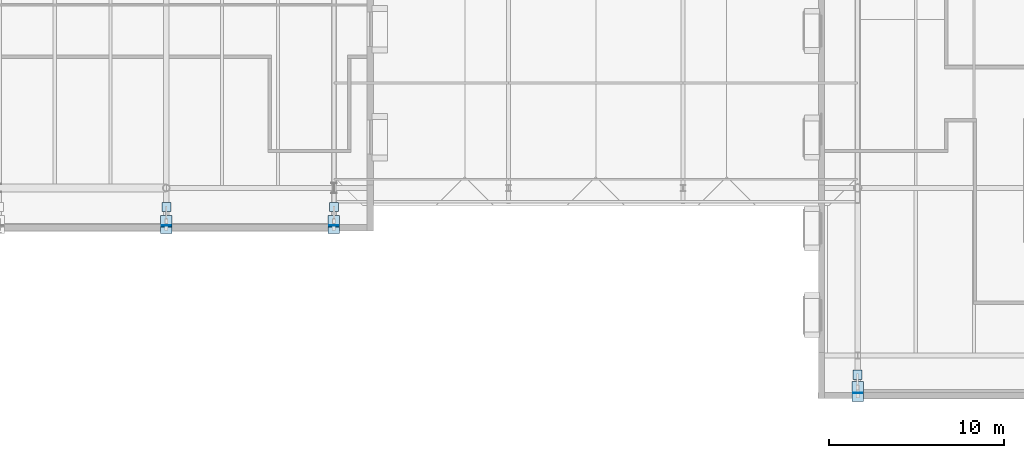
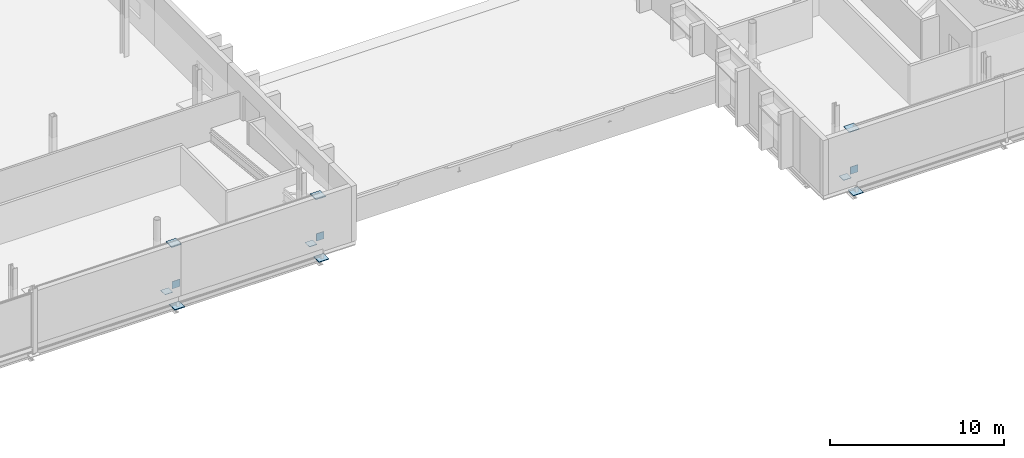
# One storey, part 52 of 90: 12 plates.
"""IFC4 building model written with IfcOpenShell, lengths in metres."""

from ifc_helpers import new_model, si_unit, direction, frame, origin, origin_2d, place, context, subcontext, project, spatial, rectangle, extrude, material, layer, layer_set, type_object, element, save


model = new_model("IFC4")

# Units and contexts
model_context = context("Model", 3, precision=1e-05, world=origin(), true_north=direction((0.0, 1.0)))
body_context = subcontext(model_context, "Body", "Model", "MODEL_VIEW")
ifc_project = project(units=[si_unit("LENGTHUNIT", "METRE"), si_unit("AREAUNIT", "SQUARE_METRE"), si_unit("VOLUMEUNIT", "CUBIC_METRE"), si_unit("PLANEANGLEUNIT", "RADIAN"), si_unit("MASSUNIT", "GRAM", prefix="KILO")], contexts=[model_context])

# Site, building, storey
site_placement = place(None, origin())
site = spatial("IfcSite", under=ifc_project, at=site_placement, CompositionType="ELEMENT")
building_placement = place(site_placement, origin())
building = spatial("IfcBuilding", under=site, at=building_placement, Name="Zereglee Splitstone Museum", CompositionType="ELEMENT")
storey_placement = place(building_placement, frame((0.0, 0.0, 4.800048828125)))
storey = spatial("IfcBuildingStorey", under=building, at=storey_placement, Name="L01", CompositionType="ELEMENT", Elevation=4.800048828125)

# Plates
ifc_material = material(Name="Steel S355J2", Category="steel")
ifc_layer_1 = layer(ifc_material, 0.030029296875)
ifc_layer_set_1 = layer_set([ifc_layer_1], Name="Steel S355J2")
plate_type_1 = type_object("IfcPlateType", Name="NP-04", PredefinedType="SHEET", material=ifc_layer_set_1)
plate_1_placement = place(storey_placement, frame((135.60009765625, 8.5, -0.27490234375), z_axis=(0.0, 0.0, 1.0), x_axis=(1.0, 0.0, 0.0)))
element("IfcPlate", 1, at=plate_1_placement, inside=storey, type_object=plate_type_1, Name="Facet Tie Seal Plate FH-V2SE", PredefinedType="SHEET", context=body_context, shape_type="SweptSolid", body=[
    extrude(rectangle(XDim=0.52001953125, YDim=0.52001953125, at=origin_2d()), origin(), (0.0, 0.0, 1.0), 0.030029296875),
])
plate_2_placement = place(storey_placement, frame((135.60009765625, 7.44580078125, 0.639892578125), z_axis=(0.0, 0.0, 1.0), x_axis=(1.0, 0.0, 0.0)))
element("IfcPlate", 2, at=plate_2_placement, inside=storey, type_object=plate_type_1, Name="Facet Tie Seal Plate FH-V2SE", PredefinedType="SHEET", context=body_context, shape_type="SweptSolid", body=[
    extrude(rectangle(XDim=0.52001953125, YDim=0.030029296875, at=origin_2d()), origin(), (0.0, 0.0, 1.0), 0.52001953125),
])
plate_3_placement = place(storey_placement, frame((145.199951171875, 8.5, -0.27490234375), z_axis=(0.0, 0.0, 1.0), x_axis=(1.0, 0.0, 0.0)))
element("IfcPlate", 3, at=plate_3_placement, inside=storey, type_object=plate_type_1, Name="Facet Tie Seal Plate FH-V2SE", PredefinedType="SHEET", context=body_context, shape_type="SweptSolid", body=[
    extrude(rectangle(XDim=0.52001953125, YDim=0.52001953125, at=origin_2d()), origin(), (0.0, 0.0, 1.0), 0.030029296875),
])
plate_4_placement = place(storey_placement, frame((145.199951171875, 7.44580078125, 0.639892578125), z_axis=(0.0, 0.0, 1.0), x_axis=(1.0, 0.0, 0.0)))
element("IfcPlate", 4, at=plate_4_placement, inside=storey, type_object=plate_type_1, Name="Facet Tie Seal Plate FH-V2SE", PredefinedType="SHEET", context=body_context, shape_type="SweptSolid", body=[
    extrude(rectangle(XDim=0.52001953125, YDim=0.030029296875, at=origin_2d()), origin(), (0.0, 0.0, 1.0), 0.52001953125),
])
plate_5_placement = place(storey_placement, frame((175.199951171875, -1.10009765625, -0.27490234375), z_axis=(0.0, 0.0, 1.0), x_axis=(1.0, 0.0, 0.0)))
element("IfcPlate", 5, at=plate_5_placement, inside=storey, type_object=plate_type_1, Name="Facet Tie Seal Plate FH-V3S", PredefinedType="SHEET", context=body_context, shape_type="SweptSolid", body=[
    extrude(rectangle(XDim=0.52001953125, YDim=0.52001953125, at=origin_2d()), origin(), (0.0, 0.0, 1.0), 0.030029296875),
])
plate_6_placement = place(storey_placement, frame((175.199951171875, -2.131591796875, 0.639892578125), z_axis=(0.0, 0.0, 1.0), x_axis=(1.0, 0.0, 0.0)))
element("IfcPlate", 6, at=plate_6_placement, inside=storey, type_object=plate_type_1, Name="Facet Tie Seal Plate FH-V3S", PredefinedType="SHEET", context=body_context, shape_type="SweptSolid", body=[
    extrude(rectangle(XDim=0.52001953125, YDim=0.030029296875, at=origin_2d()), origin(), (0.0, 0.0, 1.0), 0.52001953125),
])
ifc_layer_2 = layer(ifc_material, 0.050048828125)
ifc_layer_set_2 = layer_set([ifc_layer_2], Name="Steel S355J2")
plate_type_2 = type_object("IfcPlateType", Name="NP-02", PredefinedType="SHEET", material=ifc_layer_set_2)
for number, where, z_axis, x_axis, name in (
    (7, (135.60009765625, 7.3134765625, -0.5751953125), (0.0, 0.0, 1.0), (1.0, 0.0, 0.0), "Facet Strut Seal Plate FH-V2SE"),
    (8, (135.60009765625, 7.695068359375, 3.60498046875), (0.0, 0.0, 1.0), (1.0, 0.0, 0.0), "Facet Strut Seal Plate FH-V2SE"),
    (9, (145.199951171875, 7.3134765625, -0.5751953125), (0.0, 0.0, 1.0), (1.0, 0.0, 0.0), "Facet Strut Seal Plate FH-V2SE"),
    (10, (145.199951171875, 7.695068359375, 3.60498046875), (0.0, 0.0, 1.0), (1.0, 0.0, 0.0), "Facet Strut Seal Plate FH-V2SE"),
    (11, (175.199951171875, -2.295166015625, -0.5751953125), (0.0, 0.0, 1.0), (1.0, 0.0, 0.0), "Facet Strut Seal Plate FH-V3S"),
    (12, (175.199951171875, -1.82421875, 3.60498046875), (0.0, 0.0, 1.0), (1.0, 0.0, 0.0), "Facet Strut Seal Plate FH-V3S"),
):
    element("IfcPlate", number, at=place(storey_placement, frame(where, z_axis=z_axis, x_axis=x_axis)), inside=storey, type_object=plate_type_2, Name=name, PredefinedType="SHEET", context=body_context, shape_type="SweptSolid", body=[
        extrude(rectangle(XDim=0.659912109375, YDim=0.659912109375, at=origin_2d()), origin(), (0.0, 0.0, 1.0), 0.050048828125),
    ])

save(model, "model.ifc")
